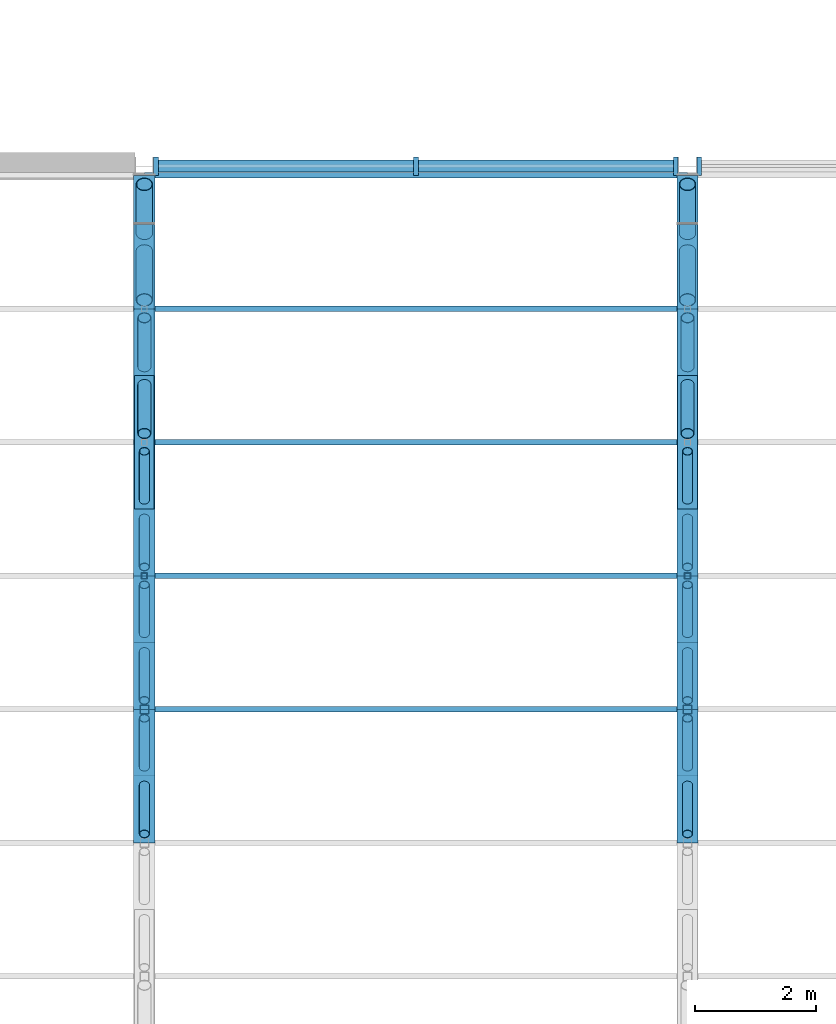
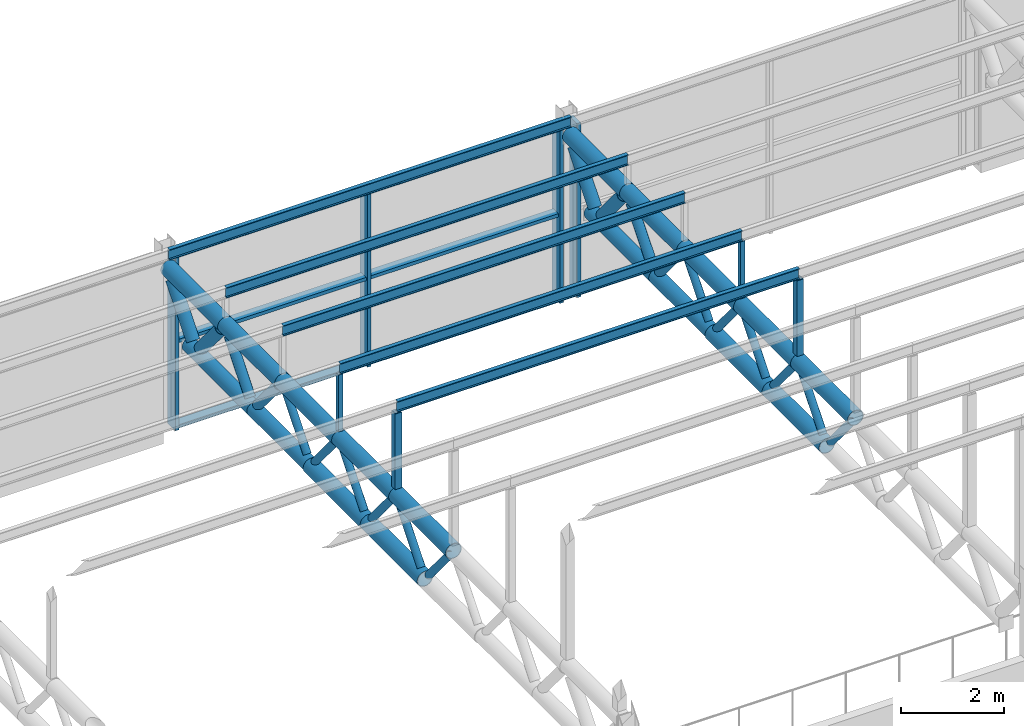
# One storey, part 53 of 138: 57 members, 2 elements without a shape of their own.
"""IFC4 building model written with IfcOpenShell, lengths in metres."""

from ifc_helpers import new_model, si_unit, direction, frame, origin, origin_2d, place, context, subcontext, project, spatial, rectangle, hollow_rectangle, hollow_circle, i_section, extrude, material, layer, layer_set, material_profile, profile_set, type_object, element, aggregate, save


model = new_model("IFC4")

# Units and contexts
model_context = context("Model", 3, precision=1e-05, world=origin(), true_north=direction((0.0, 1.0)))
body_context = subcontext(model_context, "Body", "Model", "MODEL_VIEW")
ifc_project = project(units=[si_unit("LENGTHUNIT", "METRE"), si_unit("AREAUNIT", "SQUARE_METRE"), si_unit("VOLUMEUNIT", "CUBIC_METRE"), si_unit("PLANEANGLEUNIT", "RADIAN"), si_unit("MASSUNIT", "GRAM", prefix="KILO")], contexts=[model_context])

# Site, building, storey
site_placement = place(None, origin())
site = spatial("IfcSite", under=ifc_project, at=site_placement, CompositionType="ELEMENT")
building_placement = place(site_placement, origin())
building = spatial("IfcBuilding", under=site, at=building_placement, Name="Corbel Yard City Hall", CompositionType="ELEMENT")
storey_placement = place(building_placement, frame((0.0, 0.0, 10.5)))
storey = spatial("IfcBuildingStorey", under=building, at=storey_placement, Name="L02", CompositionType="ELEMENT", Elevation=10.5)

# Members
ifc_material_1 = material(Name="Steel Grade 300 (300 MPa yield)", Category="steel")
ifc_material_profile_1 = material_profile(ifc_material_1, i_section(OverallWidth=0.090087890625, OverallDepth=0.25, WebThickness=0.008056640625, FlangeThickness=0.014892578125, at=origin_2d()), Name="250PFC")
ifc_profile_set_1 = profile_set([ifc_material_profile_1], Name="Steel Grade 300 (300 MPa yield)")
member_type_1 = type_object("IfcMemberType", Name="Eaves purlin 250PFC", PredefinedType="PURLIN", material=ifc_profile_set_1)
member_1_placement = place(storey_placement, frame((99.0, 26.847412109375, 4.24658203125), z_axis=(1.0, 0.0, 0.0), x_axis=(0.0, 1.0, 0.0)))
element("IfcMember", 1, at=member_1_placement, inside=storey, type_object=member_type_1, Name="Eaves purlin 250PFC PU2", PredefinedType="PURLIN", context=body_context, shape_type="SweptSolid", body=[
    extrude(i_section(OverallWidth=0.090087890625, OverallDepth=0.25, WebThickness=0.008056640625, FlangeThickness=0.014892578125, at=origin_2d()), origin(), (0.0, 0.0, 1.0), 9.0),
])
ifc_material_2 = material(Name="Steel Grade C350L0", Category="steel")
ifc_material_profile_2 = material_profile(ifc_material_2, hollow_circle(Radius=0.161865234375, WallThickness=0.0126953125, at=origin_2d()), Name="323.9x12.7CHS")
ifc_profile_set_2 = profile_set([ifc_material_profile_2], Name="Steel Grade C350L0")
member_type_2 = type_object("IfcMemberType", Name="Hall roof truss bottom chord 323.9x12.7CHS", PredefinedType="CHORD", material=ifc_profile_set_2)
member_2_placement = place(storey_placement, frame((99.0, 21.31787109375, 2.59228515625), z_axis=(0.0, 1.0, 0.0), x_axis=(-1.0, 0.0, 0.0)))
element("IfcMember", 2, at=member_2_placement, inside=storey, type_object=member_type_2, Name="Hall roof truss bottom chord 323.9x12.7CHS TC2", PredefinedType="CHORD", context=body_context, shape_type="SweptSolid", body=[
    extrude(hollow_circle(Radius=0.161865234375, WallThickness=0.0126953125, at=origin_2d()), origin(), (0.0, 0.0, 1.0), 2.2119140625),
])
member_3_placement = place(storey_placement, frame((99.0, 23.52978515625, 2.59228515625), z_axis=(0.0, 1.0, 0.0), x_axis=(-1.0, 0.0, 0.0)))
element("IfcMember", 3, at=member_3_placement, inside=storey, type_object=member_type_2, Name="Hall roof truss bottom chord 323.9x12.7CHS TC2", PredefinedType="CHORD", context=body_context, shape_type="SweptSolid", body=[
    extrude(hollow_circle(Radius=0.161865234375, WallThickness=0.0126953125, at=origin_2d()), origin(), (0.0, 0.0, 1.0), 2.51171875),
])
member_4_placement = place(storey_placement, frame((108.0, 21.31787109375, 2.59228515625), z_axis=(0.0, 1.0, 0.0), x_axis=(-1.0, 0.0, 0.0)))
element("IfcMember", 4, at=member_4_placement, inside=storey, type_object=member_type_2, Name="Hall roof truss bottom chord 323.9x12.7CHS TC2", PredefinedType="CHORD", context=body_context, shape_type="SweptSolid", body=[
    extrude(hollow_circle(Radius=0.161865234375, WallThickness=0.0126953125, at=origin_2d()), origin(), (0.0, 0.0, 1.0), 2.2119140625),
])
member_5_placement = place(storey_placement, frame((108.0, 23.52978515625, 2.59228515625), z_axis=(0.0, 1.0, 0.0), x_axis=(-1.0, 0.0, 0.0)))
element("IfcMember", 5, at=member_5_placement, inside=storey, type_object=member_type_2, Name="Hall roof truss bottom chord 323.9x12.7CHS TC2", PredefinedType="CHORD", context=body_context, shape_type="SweptSolid", body=[
    extrude(hollow_circle(Radius=0.161865234375, WallThickness=0.0126953125, at=origin_2d()), origin(), (0.0, 0.0, 1.0), 2.51171875),
])
ifc_material_profile_3 = material_profile(ifc_material_2, hollow_circle(Radius=0.177734375, WallThickness=0.0126953125, at=origin_2d()), Name="355.6x12.7CHS")
ifc_profile_set_3 = profile_set([ifc_material_profile_3], Name="Steel Grade C350L0")
member_type_3 = type_object("IfcMemberType", Name="Hall roof truss bottom chord 355.6x12.7CHS", PredefinedType="CHORD", material=ifc_profile_set_3)
for number, where, z_axis, x_axis, name in (
    (6, (99.0, 16.89404296875, 2.59228515625), (0.0, 1.0, 0.0), (-1.0, 0.0, 0.0), "Hall roof truss bottom chord 355.6x12.7CHS TC3"),
    (7, (99.0, 19.10595703125, 2.59228515625), (0.0, 1.0, 0.0), (-1.0, 0.0, 0.0), "Hall roof truss bottom chord 355.6x12.7CHS TC3"),
    (8, (108.0, 16.89404296875, 2.59228515625), (0.0, 1.0, 0.0), (-1.0, 0.0, 0.0), "Hall roof truss bottom chord 355.6x12.7CHS TC3"),
    (9, (108.0, 19.10595703125, 2.59228515625), (0.0, 1.0, 0.0), (-1.0, 0.0, 0.0), "Hall roof truss bottom chord 355.6x12.7CHS TC3"),
):
    element("IfcMember", number, at=place(storey_placement, frame(where, z_axis=z_axis, x_axis=x_axis)), inside=storey, type_object=member_type_3, Name=name, PredefinedType="CHORD", context=body_context, shape_type="SweptSolid", body=[
        extrude(hollow_circle(Radius=0.177734375, WallThickness=0.0126953125, at=origin_2d()), origin(), (0.0, 0.0, 1.0), 2.2119140625),
    ])
ifc_material_profile_4 = material_profile(ifc_material_2, hollow_circle(Radius=0.084228515625, WallThickness=0.007080078125, at=origin_2d()), Name="168.3x7.1CHS")
ifc_profile_set_4 = profile_set([ifc_material_profile_4], Name="Steel Grade C350L0")
member_type_4 = type_object("IfcMemberType", Name="Hall roof truss diagonal 168.3x7.1CHS", PredefinedType="STRUT", material=ifc_profile_set_4)
member_6_placement = place(storey_placement, frame((99.0, 15.93603515625, 3.744384765625), z_axis=(0.0, 0.639407153698, -0.768868318894), x_axis=(-1.0, 0.0, 0.0)))
element("IfcMember", 10, at=member_6_placement, inside=storey, type_object=member_type_4, Name="Hall roof truss diagonal 168.3x7.1CHS TD3", PredefinedType="STRUT", context=body_context, shape_type="SweptSolid", body=[
    extrude(hollow_circle(Radius=0.084228515625, WallThickness=0.007080078125, at=origin_2d()), origin(), (0.0, 0.0, 1.0), 1.267333984375),
])
for number, where, z_axis, x_axis, name in (
    (11, (99.0, 17.0419921875, 2.77001953125), (0.0, 0.639293245648, 0.768963032966), (-1.0, 0.0, 0.0), "Hall roof truss diagonal 168.3x7.1CHS TD3"),
    (12, (99.0, 18.14794921875, 3.744384765625), (0.0, 0.639293245648, -0.768963032966), (-1.0, 0.0, 0.0), "Hall roof truss diagonal 168.3x7.1CHS TD3"),
):
    element("IfcMember", number, at=place(storey_placement, frame(where, z_axis=z_axis, x_axis=x_axis)), inside=storey, type_object=member_type_4, Name=name, PredefinedType="STRUT", context=body_context, shape_type="SweptSolid", body=[
        extrude(hollow_circle(Radius=0.084228515625, WallThickness=0.007080078125, at=origin_2d()), origin(), (0.0, 0.0, 1.0), 1.26708984375),
    ])
for number, where, z_axis, x_axis, name in (
    (13, (99.0, 19.253662109375, 2.77001953125), (0.0, 0.639407153698, 0.768868318894), (-1.0, 0.0, 0.0), "Hall roof truss diagonal 168.3x7.1CHS TD3"),
    (14, (99.0, 20.359619140625, 3.744384765625), (0.0, 0.639407153698, -0.768868318894), (-1.0, 0.0, 0.0), "Hall roof truss diagonal 168.3x7.1CHS TD3"),
    (15, (99.0, 21.465576171875, 2.77001953125), (0.0, 0.639407153698, 0.768868318894), (-1.0, 0.0, 0.0), "Hall roof truss diagonal 168.3x7.1CHS TD3"),
    (16, (108.0, 15.93603515625, 3.744384765625), (0.0, 0.639407153698, -0.768868318894), (-1.0, 0.0, 0.0), "Hall roof truss diagonal 168.3x7.1CHS TD3"),
):
    element("IfcMember", number, at=place(storey_placement, frame(where, z_axis=z_axis, x_axis=x_axis)), inside=storey, type_object=member_type_4, Name=name, PredefinedType="STRUT", context=body_context, shape_type="SweptSolid", body=[
        extrude(hollow_circle(Radius=0.084228515625, WallThickness=0.007080078125, at=origin_2d()), origin(), (0.0, 0.0, 1.0), 1.267333984375),
    ])
for number, where, z_axis, x_axis, name in (
    (17, (108.0, 17.0419921875, 2.77001953125), (0.0, 0.639293245648, 0.768963032966), (-1.0, 0.0, 0.0), "Hall roof truss diagonal 168.3x7.1CHS TD3"),
    (18, (108.0, 18.14794921875, 3.744384765625), (0.0, 0.639293245648, -0.768963032966), (-1.0, 0.0, 0.0), "Hall roof truss diagonal 168.3x7.1CHS TD3"),
):
    element("IfcMember", number, at=place(storey_placement, frame(where, z_axis=z_axis, x_axis=x_axis)), inside=storey, type_object=member_type_4, Name=name, PredefinedType="STRUT", context=body_context, shape_type="SweptSolid", body=[
        extrude(hollow_circle(Radius=0.084228515625, WallThickness=0.007080078125, at=origin_2d()), origin(), (0.0, 0.0, 1.0), 1.26708984375),
    ])
for number, where, z_axis, x_axis, name in (
    (19, (108.0, 19.253662109375, 2.77001953125), (0.0, 0.639407153698, 0.768868318894), (-1.0, 0.0, 0.0), "Hall roof truss diagonal 168.3x7.1CHS TD3"),
    (20, (108.0, 20.359619140625, 3.744384765625), (0.0, 0.639407153698, -0.768868318894), (-1.0, 0.0, 0.0), "Hall roof truss diagonal 168.3x7.1CHS TD3"),
    (21, (108.0, 21.465576171875, 2.77001953125), (0.0, 0.639407153698, 0.768868318894), (-1.0, 0.0, 0.0), "Hall roof truss diagonal 168.3x7.1CHS TD3"),
):
    element("IfcMember", number, at=place(storey_placement, frame(where, z_axis=z_axis, x_axis=x_axis)), inside=storey, type_object=member_type_4, Name=name, PredefinedType="STRUT", context=body_context, shape_type="SweptSolid", body=[
        extrude(hollow_circle(Radius=0.084228515625, WallThickness=0.007080078125, at=origin_2d()), origin(), (0.0, 0.0, 1.0), 1.267333984375),
    ])
ifc_material_profile_5 = material_profile(ifc_material_2, hollow_circle(Radius=0.109619140625, WallThickness=0.00830078125, at=origin_2d()), Name="219.1x8.2CHS")
ifc_profile_set_5 = profile_set([ifc_material_profile_5], Name="Steel Grade C350L0")
member_type_5 = type_object("IfcMemberType", Name="Hall roof truss diagonal 219.1x8.2CHS", PredefinedType="STRUT", material=ifc_profile_set_5)
for number, where, z_axis, x_axis, name in (
    (22, (99.0, 22.571533203125, 3.744384765625), (0.0, 0.639407153698, -0.768868318894), (-1.0, 0.0, 0.0), "Hall roof truss diagonal 219.1x8.2CHS TD2"),
    (23, (99.0, 23.677490234375, 2.77001953125), (0.0, 0.639407153698, 0.768868318894), (-1.0, 0.0, 0.0), "Hall roof truss diagonal 219.1x8.2CHS TD2"),
    (24, (108.0, 22.571533203125, 3.744384765625), (0.0, 0.639407153698, -0.768868318894), (-1.0, 0.0, 0.0), "Hall roof truss diagonal 219.1x8.2CHS TD2"),
    (25, (108.0, 23.677490234375, 2.77001953125), (0.0, 0.639407153698, 0.768868318894), (-1.0, 0.0, 0.0), "Hall roof truss diagonal 219.1x8.2CHS TD2"),
):
    element("IfcMember", number, at=place(storey_placement, frame(where, z_axis=z_axis, x_axis=x_axis)), inside=storey, type_object=member_type_5, Name=name, PredefinedType="STRUT", context=body_context, shape_type="SweptSolid", body=[
        extrude(hollow_circle(Radius=0.109619140625, WallThickness=0.00830078125, at=origin_2d()), origin(), (0.0, 0.0, 1.0), 1.267333984375),
    ])
ifc_material_profile_6 = material_profile(ifc_material_2, hollow_circle(Radius=0.136474609375, WallThickness=0.00927734375, at=origin_2d()), Name="273.1x9.3CHS")
ifc_profile_set_6 = profile_set([ifc_material_profile_6], Name="Steel Grade C350L0")
member_type_6 = type_object("IfcMemberType", Name="Hall roof truss diagonal 273.1x9.3CHS", PredefinedType="STRUT", material=ifc_profile_set_6)
for number, where, z_axis, x_axis, name in (
    (26, (99.0, 24.783447265625, 3.744384765625), (0.0, 0.639407153698, -0.768868318894), (-1.0, 0.0, 0.0), "Hall roof truss diagonal 273.1x9.3CHS TD1"),
    (27, (99.0, 25.889404296875, 2.77001953125), (0.0, 0.639407153698, 0.768868318894), (-1.0, 0.0, 0.0), "Hall roof truss diagonal 273.1x9.3CHS TD1"),
    (28, (108.0, 24.783447265625, 3.744384765625), (0.0, 0.639407153698, -0.768868318894), (-1.0, 0.0, 0.0), "Hall roof truss diagonal 273.1x9.3CHS TD1"),
    (29, (108.0, 25.889404296875, 2.77001953125), (0.0, 0.639407153698, 0.768868318894), (-1.0, 0.0, 0.0), "Hall roof truss diagonal 273.1x9.3CHS TD1"),
):
    element("IfcMember", number, at=place(storey_placement, frame(where, z_axis=z_axis, x_axis=x_axis)), inside=storey, type_object=member_type_6, Name=name, PredefinedType="STRUT", context=body_context, shape_type="SweptSolid", body=[
        extrude(hollow_circle(Radius=0.136474609375, WallThickness=0.00927734375, at=origin_2d()), origin(), (0.0, 0.0, 1.0), 1.267333984375),
    ])
ifc_material_profile_7 = material_profile(ifc_material_2, hollow_circle(Radius=0.177734375, WallThickness=0.0126953125, at=origin_2d()), Name="355.6x12.7CHS")
ifc_profile_set_7 = profile_set([ifc_material_profile_7], Name="Steel Grade C350L0")
member_type_7 = type_object("IfcMemberType", Name="Hall roof truss top chord 355.6x12.7CHS", PredefinedType="CHORD", material=ifc_profile_set_7)
for number, where, z_axis, x_axis, name in (
    (30, (99.0, 15.7880859375, 3.922119140625), (0.0, 1.0, 0.0), (-1.0, 0.0, 0.0), "Hall roof truss top chord 355.6x12.7CHS TC1"),
    (31, (99.0, 18.0, 3.922119140625), (0.0, 1.0, 0.0), (-1.0, 0.0, 0.0), "Hall roof truss top chord 355.6x12.7CHS TC1"),
    (32, (99.0, 20.2119140625, 3.922119140625), (0.0, 1.0, 0.0), (-1.0, 0.0, 0.0), "Hall roof truss top chord 355.6x12.7CHS TC1"),
    (33, (99.0, 22.423828125, 3.922119140625), (0.0, 1.0, 0.0), (-1.0, 0.0, 0.0), "Hall roof truss top chord 355.6x12.7CHS TC1"),
):
    element("IfcMember", number, at=place(storey_placement, frame(where, z_axis=z_axis, x_axis=x_axis)), inside=storey, type_object=member_type_7, Name=name, PredefinedType="CHORD", context=body_context, shape_type="SweptSolid", body=[
        extrude(hollow_circle(Radius=0.177734375, WallThickness=0.0126953125, at=origin_2d()), origin(), (0.0, 0.0, 1.0), 2.2119140625),
    ])
member_7_placement = place(storey_placement, frame((99.0, 24.6357421875, 3.922119140625), z_axis=(0.0, 1.0, 0.0), x_axis=(-1.0, 0.0, 0.0)))
element("IfcMember", 34, at=member_7_placement, inside=storey, type_object=member_type_7, Name="Hall roof truss top chord 355.6x12.7CHS TC1", PredefinedType="CHORD", context=body_context, shape_type="SweptSolid", body=[
    extrude(hollow_circle(Radius=0.177734375, WallThickness=0.0126953125, at=origin_2d()), origin(), (0.0, 0.0, 1.0), 2.211669921875),
])
for number, where, z_axis, x_axis, name in (
    (35, (108.0, 15.7880859375, 3.922119140625), (0.0, 1.0, 0.0), (-1.0, 0.0, 0.0), "Hall roof truss top chord 355.6x12.7CHS TC1"),
    (36, (108.0, 18.0, 3.922119140625), (0.0, 1.0, 0.0), (-1.0, 0.0, 0.0), "Hall roof truss top chord 355.6x12.7CHS TC1"),
    (37, (108.0, 20.2119140625, 3.922119140625), (0.0, 1.0, 0.0), (-1.0, 0.0, 0.0), "Hall roof truss top chord 355.6x12.7CHS TC1"),
    (38, (108.0, 22.423828125, 3.922119140625), (0.0, 1.0, 0.0), (-1.0, 0.0, 0.0), "Hall roof truss top chord 355.6x12.7CHS TC1"),
):
    element("IfcMember", number, at=place(storey_placement, frame(where, z_axis=z_axis, x_axis=x_axis)), inside=storey, type_object=member_type_7, Name=name, PredefinedType="CHORD", context=body_context, shape_type="SweptSolid", body=[
        extrude(hollow_circle(Radius=0.177734375, WallThickness=0.0126953125, at=origin_2d()), origin(), (0.0, 0.0, 1.0), 2.2119140625),
    ])
member_8_placement = place(storey_placement, frame((108.0, 24.6357421875, 3.922119140625), z_axis=(0.0, 1.0, 0.0), x_axis=(-1.0, 0.0, 0.0)))
element("IfcMember", 39, at=member_8_placement, inside=storey, type_object=member_type_7, Name="Hall roof truss top chord 355.6x12.7CHS TC1", PredefinedType="CHORD", context=body_context, shape_type="SweptSolid", body=[
    extrude(hollow_circle(Radius=0.177734375, WallThickness=0.0126953125, at=origin_2d()), origin(), (0.0, 0.0, 1.0), 2.211669921875),
])

# Curtain wall, members
ifc_material_3 = material(Name="Aluminium extrusion", Category="aluminium")
ifc_layer = layer(ifc_material_3, 0.300048828125)
ifc_layer_set = layer_set([ifc_layer], Name="Aluminium extrusion")
curtain_wall_type = type_object("IfcCurtainWallType", Name="CW7", PredefinedType="USERDEFINED", material=ifc_layer_set)
curtain_wall_1_placement = place(storey_placement, origin())
curtain_wall_1 = element("IfcCurtainWall", 40, at=curtain_wall_1_placement, inside=storey, type_object=curtain_wall_type, Name="Curtain wall CW7 L02", ObjectType="CURTAIN WALL", PredefinedType="USERDEFINED")
ifc_material_profile_8 = material_profile(ifc_material_3, rectangle(XDim=0.300048828125, YDim=0.080078125, at=origin_2d()), Name="300x80")
ifc_profile_set_8 = profile_set([ifc_material_profile_8], Name="Aluminium extrusion")
member_type_8 = type_object("IfcMemberType", Name="ML7", PredefinedType="MULLION", material=ifc_profile_set_8)
member_9_placement = place(storey_placement, frame((99.194091796875, 27.0, 0.0), z_axis=(0.0, 0.0, 1.0), x_axis=(0.0, 1.0, 0.0)))
member_9 = element("IfcMember", 41, at=member_9_placement, type_object=member_type_8, Name="CW7 mullion 1", PredefinedType="MULLION", context=body_context, shape_type="SweptSolid", body=[
    extrude(rectangle(XDim=0.300048828125, YDim=0.080078125, at=origin_2d()), origin(), (0.0, 0.0, 1.0), 4.12158203125),
])
member_10_placement = place(storey_placement, frame((103.5, 27.0, 0.0), z_axis=(0.0, 0.0, 1.0), x_axis=(0.0, 1.0, 0.0)))
member_10 = element("IfcMember", 42, at=member_10_placement, type_object=member_type_8, Name="CW7 mullion 2", PredefinedType="MULLION", context=body_context, shape_type="SweptSolid", body=[
    extrude(rectangle(XDim=0.300048828125, YDim=0.080078125, at=origin_2d()), origin(), (0.0, 0.0, 1.0), 4.12158203125),
])
member_11_placement = place(storey_placement, frame((107.805908203125, 27.0, 0.0), z_axis=(0.0, 0.0, 1.0), x_axis=(0.0, 1.0, 0.0)))
member_11 = element("IfcMember", 43, at=member_11_placement, type_object=member_type_8, Name="CW7 mullion 3", PredefinedType="MULLION", context=body_context, shape_type="SweptSolid", body=[
    extrude(rectangle(XDim=0.300048828125, YDim=0.080078125, at=origin_2d()), origin(), (0.0, 0.0, 1.0), 4.12158203125),
])

# Curtain wall, member
curtain_wall_2_placement = place(storey_placement, origin())
curtain_wall_2 = element("IfcCurtainWall", 44, at=curtain_wall_2_placement, inside=storey, type_object=curtain_wall_type, Name="Curtain wall CW7 L02", ObjectType="CURTAIN WALL", PredefinedType="USERDEFINED")
member_12_placement = place(storey_placement, frame((108.194091796875, 27.0, 0.0), z_axis=(0.0, 0.0, 1.0), x_axis=(0.0, 1.0, 0.0)))
member_12 = element("IfcMember", 45, at=member_12_placement, type_object=member_type_8, Name="CW7 mullion 1", PredefinedType="MULLION", context=body_context, shape_type="SweptSolid", body=[
    extrude(rectangle(XDim=0.300048828125, YDim=0.080078125, at=origin_2d()), origin(), (0.0, 0.0, 1.0), 4.12158203125),
])
aggregate(curtain_wall_2, [member_12])

# Members
ifc_material_profile_9 = material_profile(ifc_material_1, i_section(OverallWidth=0.090087890625, OverallDepth=0.25, WebThickness=0.008056640625, FlangeThickness=0.014892578125, at=origin_2d()), Name="250PFC")
ifc_profile_set_9 = profile_set([ifc_material_profile_9], Name="Steel Grade 300 (300 MPa yield)")
member_type_9 = type_object("IfcMemberType", Name="Purlin 250PFC", PredefinedType="PURLIN", material=ifc_profile_set_9)
for number, where, z_axis, x_axis, name in (
    (46, (99.0, 18.0, 6.01611328125), (1.0, 0.0, 0.0), (0.0, 1.0, 0.0), "Purlin 250PFC PU1"),
    (47, (99.0, 20.2119140625, 5.57373046875), (1.0, 0.0, 0.0), (0.0, 1.0, 0.0), "Purlin 250PFC PU1"),
    (48, (99.0, 22.423828125, 5.13134765625), (1.0, 0.0, 0.0), (0.0, 1.0, 0.0), "Purlin 250PFC PU1"),
    (49, (99.0, 24.6357421875, 4.68896484375), (1.0, 0.0, 0.0), (0.0, 1.0, 0.0), "Purlin 250PFC PU1"),
):
    element("IfcMember", number, at=place(storey_placement, frame(where, z_axis=z_axis, x_axis=x_axis)), inside=storey, type_object=member_type_9, Name=name, PredefinedType="PURLIN", context=body_context, shape_type="SweptSolid", body=[
        extrude(i_section(OverallWidth=0.090087890625, OverallDepth=0.25, WebThickness=0.008056640625, FlangeThickness=0.014892578125, at=origin_2d()), origin(), (0.0, 0.0, 1.0), 9.0),
    ])
ifc_material_4 = material(Name="Steel Grade C450L0", Category="steel")
ifc_material_profile_10 = material_profile(ifc_material_4, hollow_rectangle(XDim=0.10009765625, YDim=0.10009765625, WallThickness=0.006103515625, at=origin_2d()), Name="100x100x6.0SHS")
ifc_profile_set_10 = profile_set([ifc_material_profile_10], Name="Steel Grade C450L0")
member_type_10 = type_object("IfcMemberType", Name="Roof post 100x100x6.0SHS", PredefinedType="POST", material=ifc_profile_set_10)
for number, where, z_axis, x_axis, name in (
    (50, (99.0, 20.2119140625, 4.10009765625), (0.0, 0.0, 1.0), (1.0, 0.0, 0.0), "Roof post 100x100x6.0SHS RP3"),
    (51, (108.0, 20.2119140625, 4.10009765625), (0.0, 0.0, 1.0), (1.0, 0.0, 0.0), "Roof post 100x100x6.0SHS RP3"),
):
    element("IfcMember", number, at=place(storey_placement, frame(where, z_axis=z_axis, x_axis=x_axis)), inside=storey, type_object=member_type_10, Name=name, PredefinedType="POST", context=body_context, shape_type="SweptSolid", body=[
        extrude(hollow_rectangle(XDim=0.10009765625, YDim=0.10009765625, WallThickness=0.006103515625, at=origin_2d()), origin(), (0.0, 0.0, 1.0), 1.3486328125),
    ])
ifc_material_profile_11 = material_profile(ifc_material_4, hollow_rectangle(XDim=0.14990234375, YDim=0.14990234375, WallThickness=0.009033203125, at=origin_2d()), Name="150x150x9.0SHS")
ifc_profile_set_11 = profile_set([ifc_material_profile_11], Name="Steel Grade C450L0")
member_type_11 = type_object("IfcMemberType", Name="Roof post 150x150x9.0SHS", PredefinedType="POST", material=ifc_profile_set_11)
for number, where, z_axis, x_axis, name in (
    (52, (99.0, 18.0, 4.10009765625), (0.0, 0.0, 1.0), (1.0, 0.0, 0.0), "Roof post 150x150x9.0SHS RP2"),
    (53, (108.0, 18.0, 4.10009765625), (0.0, 0.0, 1.0), (1.0, 0.0, 0.0), "Roof post 150x150x9.0SHS RP2"),
):
    element("IfcMember", number, at=place(storey_placement, frame(where, z_axis=z_axis, x_axis=x_axis)), inside=storey, type_object=member_type_11, Name=name, PredefinedType="POST", context=body_context, shape_type="SweptSolid", body=[
        extrude(hollow_rectangle(XDim=0.14990234375, YDim=0.14990234375, WallThickness=0.009033203125, at=origin_2d()), origin(), (0.0, 0.0, 1.0), 1.791015625),
    ])

# Member
ifc_material_profile_12 = material_profile(ifc_material_3, rectangle(XDim=0.199951171875, YDim=0.080078125, at=origin_2d()), Name="200x80")
ifc_profile_set_12 = profile_set([ifc_material_profile_12], Name="Aluminium extrusion")
member_type_12 = type_object("IfcMemberType", Name="TR7", PredefinedType="USERDEFINED", material=ifc_profile_set_12)
member_13_placement = place(storey_placement, frame((99.23388671875, 27.0, 0.0400390625), z_axis=(1.0, 0.0, 0.0), x_axis=(0.0, 1.0, 0.0)))
member_13 = element("IfcMember", 54, at=member_13_placement, type_object=member_type_12, Name="CW7 transom 1.1", ObjectType="TRANSOM", PredefinedType="USERDEFINED", context=body_context, shape_type="SweptSolid", body=[
    extrude(rectangle(XDim=0.199951171875, YDim=0.080078125, at=origin_2d()), origin(), (0.0, 0.0, 1.0), 4.22607421875),
])

member_14_placement = place(storey_placement, frame((99.23388671875, 27.0, 2.060791015625), z_axis=(1.0, 0.0, 0.0), x_axis=(0.0, 1.0, 0.0)))
member_14 = element("IfcMember", 55, at=member_14_placement, type_object=member_type_12, Name="CW7 transom 1.2", ObjectType="TRANSOM", PredefinedType="USERDEFINED", context=body_context, shape_type="SweptSolid", body=[
    extrude(rectangle(XDim=0.199951171875, YDim=0.080078125, at=origin_2d()), origin(), (0.0, 0.0, 1.0), 4.22607421875),
])

member_15_placement = place(storey_placement, frame((99.23388671875, 27.0, 4.08154296875), z_axis=(1.0, 0.0, 0.0), x_axis=(0.0, 1.0, 0.0)))
member_15 = element("IfcMember", 56, at=member_15_placement, type_object=member_type_12, Name="CW7 transom 1.3", ObjectType="TRANSOM", PredefinedType="USERDEFINED", context=body_context, shape_type="SweptSolid", body=[
    extrude(rectangle(XDim=0.199951171875, YDim=0.080078125, at=origin_2d()), origin(), (0.0, 0.0, 1.0), 4.22607421875),
])

member_16_placement = place(storey_placement, frame((103.5400390625, 27.0, 0.0400390625), z_axis=(1.0, 0.0, 0.0), x_axis=(0.0, 1.0, 0.0)))
member_16 = element("IfcMember", 57, at=member_16_placement, type_object=member_type_12, Name="CW7 transom 2.1", ObjectType="TRANSOM", PredefinedType="USERDEFINED", context=body_context, shape_type="SweptSolid", body=[
    extrude(rectangle(XDim=0.199951171875, YDim=0.080078125, at=origin_2d()), origin(), (0.0, 0.0, 1.0), 4.22607421875),
])

member_17_placement = place(storey_placement, frame((103.5400390625, 27.0, 2.060791015625), z_axis=(1.0, 0.0, 0.0), x_axis=(0.0, 1.0, 0.0)))
member_17 = element("IfcMember", 58, at=member_17_placement, type_object=member_type_12, Name="CW7 transom 2.2", ObjectType="TRANSOM", PredefinedType="USERDEFINED", context=body_context, shape_type="SweptSolid", body=[
    extrude(rectangle(XDim=0.199951171875, YDim=0.080078125, at=origin_2d()), origin(), (0.0, 0.0, 1.0), 4.22607421875),
])

member_18_placement = place(storey_placement, frame((103.5400390625, 27.0, 4.08154296875), z_axis=(1.0, 0.0, 0.0), x_axis=(0.0, 1.0, 0.0)))
member_18 = element("IfcMember", 59, at=member_18_placement, type_object=member_type_12, Name="CW7 transom 2.3", ObjectType="TRANSOM", PredefinedType="USERDEFINED", context=body_context, shape_type="SweptSolid", body=[
    extrude(rectangle(XDim=0.199951171875, YDim=0.080078125, at=origin_2d()), origin(), (0.0, 0.0, 1.0), 4.22607421875),
])

aggregate(curtain_wall_1, [member_9, member_10, member_11, member_13, member_14, member_15, member_16, member_17, member_18])

save(model, "model.ifc")
